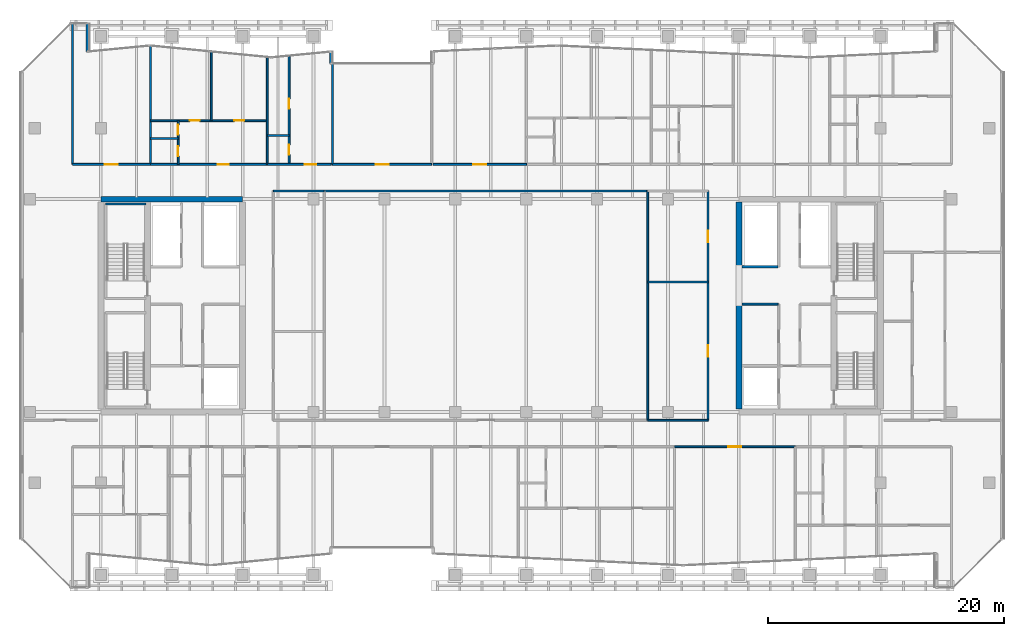
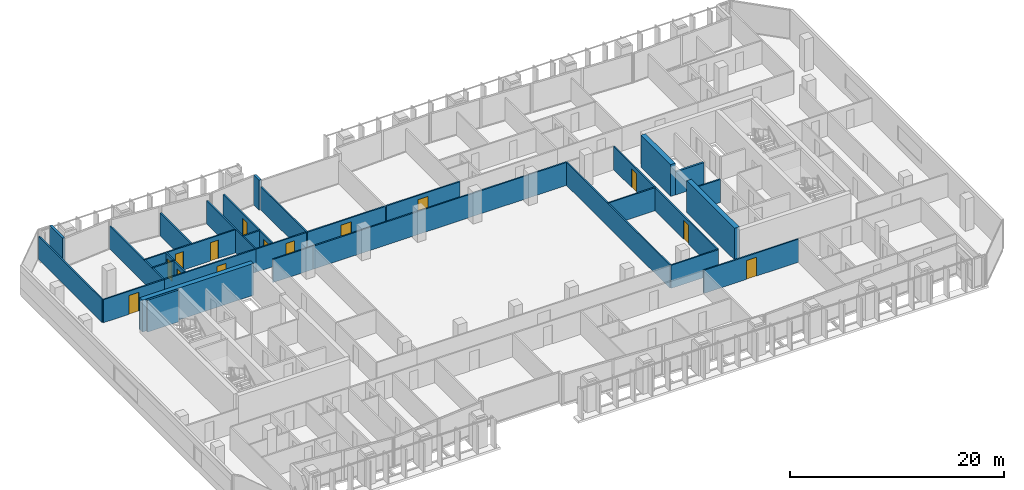
# One storey, part 29 of 39: 31 walls, 14 doors, 14 openings.
"""IFC4 building model written with IfcOpenShell, lengths in metres."""

from ifc_helpers import new_model, si_unit, direction, frame, frame_2d, origin, place, context, subcontext, project, spatial, rectangle, extrude, material, layer, layer_set, type_object, element, fill, save


model = new_model("IFC4")

# Units and contexts
model_context = context("Model", 3, precision=1e-05, world=origin(), true_north=direction((0.0, 1.0)))
body_context = subcontext(model_context, "Body", "Model", "MODEL_VIEW")
ifc_project = project(units=[si_unit("LENGTHUNIT", "METRE"), si_unit("AREAUNIT", "SQUARE_METRE"), si_unit("VOLUMEUNIT", "CUBIC_METRE"), si_unit("PLANEANGLEUNIT", "RADIAN"), si_unit("MASSUNIT", "GRAM", prefix="KILO")], contexts=[model_context])

# Site, building, storey
site_placement = place(None, origin())
site = spatial("IfcSite", under=ifc_project, at=site_placement, CompositionType="ELEMENT")
building_placement = place(site_placement, origin())
building = spatial("IfcBuilding", under=site, at=building_placement, Name="Tanjung Sevakor Pilgrim Tower", CompositionType="ELEMENT")
storey_placement = place(building_placement, frame((0.0, 0.0, 112.199951171875)))
storey = spatial("IfcBuildingStorey", under=building, at=storey_placement, Name="L31", CompositionType="ELEMENT", Elevation=112.199951171875)

# Walls
ifc_material_1 = material(Name="Concrete C60/75", Category="concrete")
ifc_layer_1 = layer(ifc_material_1, 0.5)
ifc_layer_set_1 = layer_set([ifc_layer_1], Name="WALL-CW-500")
wall_type_1 = type_object("IfcWallType", Name="WALL-CW-500", PredefinedType="SHEAR", material=ifc_layer_set_1)
wall_1_placement = place(storey_placement, frame((36.0, 42.60009765625, 0.0), z_axis=(0.0, 0.0, 1.0), x_axis=(-1.0, 0.0, 0.0)))
element("IfcWall", 1, at=wall_1_placement, inside=storey, type_object=wall_type_1, Name="L31 W Core North Shear Wall", PredefinedType="SHEAR", context=body_context, shape_type="SweptSolid", body=[
    extrude(rectangle(XDim=12.0, YDim=0.5, at=frame_2d((6.0, 0.0))), origin(), (0.0, 0.0, 1.0), 3.630126953125),
])
wall_2_placement = place(storey_placement, frame((78.0, 24.85009765625, 0.0), z_axis=(0.0, 0.0, 1.0), x_axis=(0.0, 1.0, 0.0)))
element("IfcWall", 2, at=wall_2_placement, inside=storey, type_object=wall_type_1, Name="L31 E Core Inner Shear Wall South", PredefinedType="SHEAR", context=body_context, shape_type="SweptSolid", body=[
    extrude(rectangle(XDim=8.949951171875, YDim=0.5, at=frame_2d((4.47509765625, 0.0))), origin(), (0.0, 0.0, 1.0), 3.630126953125),
])
wall_3_placement = place(storey_placement, frame((78.0, 36.800048828125, 0.0), z_axis=(0.0, 0.0, 1.0), x_axis=(0.0, 1.0, 0.0)))
element("IfcWall", 3, at=wall_3_placement, inside=storey, type_object=wall_type_1, Name="L31 E Core Inner Shear Wall North", PredefinedType="SHEAR", context=body_context, shape_type="SweptSolid", body=[
    extrude(rectangle(XDim=5.550048828125, YDim=0.5, at=frame_2d((2.77490234375, 0.0))), origin(), (0.0, 0.0, 1.0), 3.630126953125),
])
ifc_material_2 = material(Name="Concrete C40/50", Category="concrete")
ifc_layer_2 = layer(ifc_material_2, 0.14990234375)
ifc_layer_set_2 = layer_set([ifc_layer_2], Name="WT-COMP-150")
wall_type_2 = type_object("IfcWallType", Name="WT-COMP-150", PredefinedType="SOLIDWALL", material=ifc_layer_set_2)
wall_4_placement = place(storey_placement, frame((78.27001953125, 33.719970703125, 0.0), z_axis=(0.0, 0.0, 1.0), x_axis=(1.0, 0.0, 0.0)))
element("IfcWall", 4, at=wall_4_placement, inside=storey, type_object=wall_type_2, Name="L31 Partition IW-L31-015", PredefinedType="SOLIDWALL", context=body_context, shape_type="SweptSolid", body=[
    extrude(rectangle(XDim=3.050048828125, YDim=0.14990234375, at=frame_2d((1.52490234375, 0.0))), origin(), (0.0, 0.0, 1.0), 2.6298828125),
])
wall_5_placement = place(storey_placement, frame((38.60009765625, 43.300048828125, 0.0), z_axis=(0.0, 0.0, 1.0), x_axis=(1.0, 0.0, 0.0)))
element("IfcWall", 5, at=wall_5_placement, inside=storey, type_object=wall_type_2, Name="L31 Partition IW-L31-024", PredefinedType="SOLIDWALL", context=body_context, shape_type="SweptSolid", body=[
    extrude(rectangle(XDim=4.2998046875, YDim=0.14990234375, at=frame_2d((2.14990234375, 0.0))), origin(), (0.0, 0.0, 1.0), 2.6298828125),
])
wall_6_placement = place(storey_placement, frame((42.89990234375, 43.300048828125, 0.0), z_axis=(0.0, 0.0, 1.0), x_axis=(1.0, 0.0, 0.0)))
element("IfcWall", 6, at=wall_6_placement, inside=storey, type_object=wall_type_2, Name="L31 Partition IW-L31-027", PredefinedType="SOLIDWALL", context=body_context, shape_type="SweptSolid", body=[
    extrude(rectangle(XDim=27.400146484375, YDim=0.14990234375, at=frame_2d((13.7001953125, 0.0))), origin(), (0.0, 0.0, 1.0), 2.6298828125),
])
wall_7_placement = place(storey_placement, frame((70.300048828125, 23.89990234375, 0.0), z_axis=(0.0, 0.0, 1.0), x_axis=(0.0, 1.0, 0.0)))
element("IfcWall", 7, at=wall_7_placement, inside=storey, type_object=wall_type_2, Name="L31 Partition IW-L31-029", PredefinedType="SOLIDWALL", context=body_context, shape_type="SweptSolid", body=[
    extrude(rectangle(XDim=19.400146484375, YDim=0.14990234375, at=frame_2d((9.7001953125, 0.0))), origin(), (0.0, 0.0, 1.0), 2.6298828125),
])
for number, where, z_axis, x_axis, name in (
    (8, (70.300048828125, 23.89990234375, 0.0), (0.0, 0.0, 1.0), (1.0, 0.0, 0.0), "L31 Partition IW-L31-030"),
    (9, (70.300048828125, 35.60009765625, 0.0), (0.0, 0.0, 1.0), (1.0, 0.0, 0.0), "L31 Partition IW-L31-031"),
):
    element("IfcWall", number, at=place(storey_placement, frame(where, z_axis=z_axis, x_axis=x_axis)), inside=storey, type_object=wall_type_2, Name=name, PredefinedType="SOLIDWALL", context=body_context, shape_type="SweptSolid", body=[
        extrude(rectangle(XDim=5.099853515625, YDim=0.14990234375, at=frame_2d((2.5498046875, 0.0))), origin(), (0.0, 0.0, 1.0), 2.6298828125),
    ])

# Wall, opening, door
wall_8_placement = place(storey_placement, frame((75.39990234375, 23.89990234375, 0.0), z_axis=(0.0, 0.0, 1.0), x_axis=(0.0, 1.0, 0.0)))
wall_8 = element("IfcWall", 10, at=wall_8_placement, inside=storey, type_object=wall_type_2, Name="L31 Partition IW-L31-032", PredefinedType="SOLIDWALL", context=body_context, shape_type="SweptSolid", body=[
    extrude(rectangle(XDim=11.7001953125, YDim=0.14990234375, at=frame_2d((5.85009765625, 0.0))), origin(), (0.0, 0.0, 1.0), 2.6298828125),
])
opening_1_placement = place(wall_8_placement, frame((5.375, 0.0, 0.0)))
opening_1 = element("IfcOpeningElement", 11, at=opening_1_placement, cuts=wall_8, Name="Opening ID-RM1", PredefinedType="OPENING", context=body_context, shape_type="SweptSolid", body=[
    extrude(rectangle(XDim=0.949951171875, YDim=2.14990234375, at=frame_2d((0.47509765625, 1.074951171875))), frame((0.0, 0.0849609375, 0.0), z_axis=(0.0, -1.0, 0.0), x_axis=(1.0, 0.0, 0.0)), (0.0, 0.0, 1.0), 0.169921875),
])
ifc_material_3 = material(Name="Hardwood Timber", Category="wood")
door_type_1 = type_object("IfcDoorType", Name="DT-INT-950", OperationType="NOTDEFINED", PredefinedType="DOOR", material=ifc_material_3)
door_1_placement = place(opening_1_placement, origin())
door_1 = element("IfcDoor", 12, at=door_1_placement, inside=storey, type_object=door_type_1, Name="L31 Female Ablution Door", OperationType="SINGLE_SWING_LEFT", OverallHeight=2.14990234375, OverallWidth=0.949951171875, PredefinedType="DOOR", context=body_context, shape_type="SweptSolid", body=[
    extrude(rectangle(XDim=0.949951171875, YDim=2.14990234375, at=frame_2d((0.47509765625, 1.074951171875))), frame((0.0, 0.02490234375, 0.0), z_axis=(0.0, -1.0, 0.0), x_axis=(1.0, 0.0, 0.0)), (0.0, 0.0, 1.0), 0.050048828125),
])
fill(opening_1, door_1)

wall_9_placement = place(storey_placement, frame((75.39990234375, 35.60009765625, 0.0), z_axis=(0.0, 0.0, 1.0), x_axis=(0.0, 1.0, 0.0)))
wall_9 = element("IfcWall", 13, at=wall_9_placement, inside=storey, type_object=wall_type_2, Name="L31 Partition IW-L31-034", PredefinedType="SOLIDWALL", context=body_context, shape_type="SweptSolid", body=[
    extrude(rectangle(XDim=7.699951171875, YDim=0.14990234375, at=frame_2d((3.85009765625, 0.0))), origin(), (0.0, 0.0, 1.0), 2.6298828125),
])
opening_2_placement = place(wall_9_placement, frame((3.375, 0.0, 0.0)))
opening_2 = element("IfcOpeningElement", 14, at=opening_2_placement, cuts=wall_9, Name="Opening ID-RM1", PredefinedType="OPENING", context=body_context, shape_type="SweptSolid", body=[
    extrude(rectangle(XDim=0.949951171875, YDim=2.14990234375, at=frame_2d((0.47509765625, 1.074951171875))), frame((0.0, 0.0849609375, 0.0), z_axis=(0.0, -1.0, 0.0), x_axis=(1.0, 0.0, 0.0)), (0.0, 0.0, 1.0), 0.169921875),
])
door_2_placement = place(opening_2_placement, origin())
door_2 = element("IfcDoor", 15, at=door_2_placement, inside=storey, type_object=door_type_1, Name="L31 Female Washroom Door", OperationType="SINGLE_SWING_RIGHT", OverallHeight=2.14990234375, OverallWidth=0.949951171875, PredefinedType="DOOR", context=body_context, shape_type="SweptSolid", body=[
    extrude(rectangle(XDim=0.949951171875, YDim=2.14990234375, at=frame_2d((0.47509765625, 1.074951171875))), frame((0.0, 0.02490234375, 0.0), z_axis=(0.0, -1.0, 0.0), x_axis=(1.0, 0.0, 0.0)), (0.0, 0.0, 1.0), 0.050048828125),
])
fill(opening_2, door_2)

wall_10_placement = place(storey_placement, frame((43.60009765625, 45.550048828125, 0.0), z_axis=(0.0, 0.0, 1.0), x_axis=(1.0, 0.0, 0.0)))
wall_10 = element("IfcWall", 16, at=wall_10_placement, inside=storey, type_object=wall_type_2, Name="L31 Partition IW-L31-045", PredefinedType="SOLIDWALL", context=body_context, shape_type="SweptSolid", body=[
    extrude(rectangle(XDim=8.39990234375, YDim=0.14990234375, at=frame_2d((4.199951171875, 0.0))), origin(), (0.0, 0.0, 1.0), 2.6298828125),
])
opening_3_placement = place(wall_10_placement, frame((3.64990234375, 0.0, 0.0)))
opening_3 = element("IfcOpeningElement", 17, at=opening_3_placement, cuts=wall_10, Name="Opening ID-RM2", PredefinedType="OPENING", context=body_context, shape_type="SweptSolid", body=[
    extrude(rectangle(XDim=1.10009765625, YDim=2.14990234375, at=frame_2d((0.550048828125, 1.074951171875))), frame((0.0, 0.0849609375, 0.0), z_axis=(0.0, -1.0, 0.0), x_axis=(1.0, 0.0, 0.0)), (0.0, 0.0, 1.0), 0.169921875),
])
ifc_material_4 = material(Name="Hardwood Timber", Category="wood")
door_type_2 = type_object("IfcDoorType", Name="DT-INT-1100", OperationType="NOTDEFINED", PredefinedType="DOOR", material=ifc_material_4)
door_3_placement = place(opening_3_placement, origin())
door_3 = element("IfcDoor", 18, at=door_3_placement, inside=storey, type_object=door_type_2, Name="L31 North Cleft Reading Room Door", OperationType="SINGLE_SWING_LEFT", OverallHeight=2.14990234375, OverallWidth=1.10009765625, PredefinedType="DOOR", context=body_context, shape_type="SweptSolid", body=[
    extrude(rectangle(XDim=1.10009765625, YDim=2.14990234375, at=frame_2d((0.550048828125, 1.074951171875))), frame((0.0, 0.02490234375, 0.0), z_axis=(0.0, -1.0, 0.0), x_axis=(1.0, 0.0, 0.0)), (0.0, 0.0, 1.0), 0.050048828125),
])
fill(opening_3, door_3)

# Wall
wall_11_placement = place(storey_placement, frame((43.60009765625, 45.550048828125, 0.0), z_axis=(0.0, 0.0, 1.0), x_axis=(0.0, 1.0, 0.0)))
element("IfcWall", 19, at=wall_11_placement, inside=storey, type_object=wall_type_2, Name="L31 Partition IW-L31-046", PredefinedType="SOLIDWALL", context=body_context, shape_type="SweptSolid", body=[
    extrude(rectangle(XDim=8.52490234375, YDim=0.14990234375, at=frame_2d((4.262451171875, 0.0))), origin(), (0.0, 0.0, 1.0), 2.6298828125),
])

# Wall, opening, door
wall_12_placement = place(storey_placement, frame((72.557373046875, 21.64990234375, 0.0), z_axis=(0.0, 0.0, 1.0), x_axis=(1.0, 0.0, 0.0)))
wall_12 = element("IfcWall", 20, at=wall_12_placement, inside=storey, type_object=wall_type_2, Name="L31 Partition IW-L31-074", PredefinedType="SOLIDWALL", context=body_context, shape_type="SweptSolid", body=[
    extrude(rectangle(XDim=10.218505859375, YDim=0.14990234375, at=frame_2d((5.109375, 0.0))), origin(), (0.0, 0.0, 1.0), 2.6298828125),
])
opening_4_placement = place(wall_12_placement, frame((4.559326171875, 0.0, 0.0)))
opening_4 = element("IfcOpeningElement", 21, at=opening_4_placement, cuts=wall_12, Name="Opening ID-FD0", PredefinedType="OPENING", context=body_context, shape_type="SweptSolid", body=[
    extrude(rectangle(XDim=1.10009765625, YDim=2.14990234375, at=frame_2d((0.550048828125, 1.074951171875))), frame((0.0, 0.0849609375, 0.0), z_axis=(0.0, -1.0, 0.0), x_axis=(1.0, 0.0, 0.0)), (0.0, 0.0, 1.0), 0.169921875),
])
ifc_material_5 = material(Name="Fire-Rated Steel S355J2", Category="steel")
door_type_3 = type_object("IfcDoorType", Name="DT-FIRE-1100", OperationType="NOTDEFINED", PredefinedType="DOOR", material=ifc_material_5)
door_4_placement = place(opening_4_placement, origin())
door_4 = element("IfcDoor", 22, at=door_4_placement, inside=storey, type_object=door_type_3, Name="Communal Lounge Door", OperationType="SINGLE_SWING_RIGHT", OverallHeight=2.14990234375, OverallWidth=1.10009765625, PredefinedType="DOOR", context=body_context, shape_type="SweptSolid", body=[
    extrude(rectangle(XDim=1.10009765625, YDim=2.14990234375, at=frame_2d((0.550048828125, 1.074951171875))), frame((0.0, 0.02490234375, 0.0), z_axis=(0.0, -1.0, 0.0), x_axis=(1.0, 0.0, 0.0)), (0.0, 0.0, 1.0), 0.050048828125),
])
fill(opening_4, door_4)

# Walls
wall_13_placement = place(storey_placement, frame((21.60009765625, 45.550048828125, 0.0), z_axis=(0.0, 0.0, 1.0), x_axis=(0.0, 1.0, 0.0)))
element("IfcWall", 23, at=wall_13_placement, inside=storey, type_object=wall_type_2, Name="L31 Partition IW-L31-081", PredefinedType="SOLIDWALL", context=body_context, shape_type="SweptSolid", body=[
    extrude(rectangle(XDim=11.925048828125, YDim=0.14990234375, at=frame_2d((5.96240234375, 0.0))), origin(), (0.0, 0.0, 1.0), 2.6298828125),
])
wall_14_placement = place(storey_placement, frame((28.194091796875, 45.550048828125, 0.0), z_axis=(0.0, 0.0, 1.0), x_axis=(0.0, 1.0, 0.0)))
element("IfcWall", 24, at=wall_14_placement, inside=storey, type_object=wall_type_2, Name="L31 Partition IW-L31-082", PredefinedType="SOLIDWALL", context=body_context, shape_type="SweptSolid", body=[
    extrude(rectangle(XDim=10.0400390625, YDim=0.14990234375, at=frame_2d((5.02001953125, 0.0))), origin(), (0.0, 0.0, 1.0), 2.6298828125),
])

# Wall, opening, door
wall_15_placement = place(storey_placement, frame((21.60009765625, 45.550048828125, 0.0), z_axis=(0.0, 0.0, 1.0), x_axis=(1.0, 0.0, 0.0)))
wall_15 = element("IfcWall", 25, at=wall_15_placement, inside=storey, type_object=wall_type_2, Name="L31 Partition IW-L31-083", PredefinedType="SOLIDWALL", context=body_context, shape_type="SweptSolid", body=[
    extrude(rectangle(XDim=6.593994140625, YDim=0.14990234375, at=frame_2d((3.296875, 0.0))), origin(), (0.0, 0.0, 1.0), 2.6298828125),
])
opening_5_placement = place(wall_15_placement, frame((2.7470703125, 0.0, 0.0)))
opening_5 = element("IfcOpeningElement", 26, at=opening_5_placement, cuts=wall_15, Name="Opening ID-FD0", PredefinedType="OPENING", context=body_context, shape_type="SweptSolid", body=[
    extrude(rectangle(XDim=1.10009765625, YDim=2.14990234375, at=frame_2d((0.550048828125, 1.074951171875))), frame((0.0, 0.0849609375, 0.0), z_axis=(0.0, -1.0, 0.0), x_axis=(1.0, 0.0, 0.0)), (0.0, 0.0, 1.0), 0.169921875),
])
door_5_placement = place(opening_5_placement, origin())
door_5 = element("IfcDoor", 27, at=door_5_placement, inside=storey, type_object=door_type_3, Name="Seminar Room Door", OperationType="SINGLE_SWING_LEFT", OverallHeight=2.14990234375, OverallWidth=1.10009765625, PredefinedType="DOOR", context=body_context, shape_type="SweptSolid", body=[
    extrude(rectangle(XDim=1.10009765625, YDim=2.14990234375, at=frame_2d((0.550048828125, 1.074951171875))), frame((0.0, 0.02490234375, 0.0), z_axis=(0.0, -1.0, 0.0), x_axis=(1.0, 0.0, 0.0)), (0.0, 0.0, 1.0), 0.050048828125),
])
fill(opening_5, door_5)

# Wall
wall_16_placement = place(storey_placement, frame((38.0849609375, 45.550048828125, 0.0), z_axis=(0.0, 0.0, 1.0), x_axis=(0.0, 1.0, 0.0)))
element("IfcWall", 28, at=wall_16_placement, inside=storey, type_object=wall_type_2, Name="L31 Partition IW-L31-084", PredefinedType="SOLIDWALL", context=body_context, shape_type="SweptSolid", body=[
    extrude(rectangle(XDim=9.079833984375, YDim=0.14990234375, at=frame_2d((4.5400390625, 0.0))), origin(), (0.0, 0.0, 1.0), 2.6298828125),
])

# Wall, opening, door
wall_17_placement = place(storey_placement, frame((28.194091796875, 45.550048828125, 0.0), z_axis=(0.0, 0.0, 1.0), x_axis=(1.0, 0.0, 0.0)))
wall_17 = element("IfcWall", 29, at=wall_17_placement, inside=storey, type_object=wall_type_2, Name="L31 Partition IW-L31-089", PredefinedType="SOLIDWALL", context=body_context, shape_type="SweptSolid", body=[
    extrude(rectangle(XDim=9.890869140625, YDim=0.14990234375, at=frame_2d((4.9453125, 0.0))), origin(), (0.0, 0.0, 1.0), 2.6298828125),
])
opening_6_placement = place(wall_17_placement, frame((5.685546875, 0.0, 0.0)))
opening_6 = element("IfcOpeningElement", 30, at=opening_6_placement, cuts=wall_17, Name="Opening ID-FD2", PredefinedType="OPENING", context=body_context, shape_type="SweptSolid", body=[
    extrude(rectangle(XDim=0.949951171875, YDim=2.14990234375, at=frame_2d((0.47509765625, 1.074951171875))), frame((0.0, 0.0849609375, 0.0), z_axis=(0.0, -1.0, 0.0), x_axis=(1.0, 0.0, 0.0)), (0.0, 0.0, 1.0), 0.169921875),
])
ifc_material_6 = material(Name="Fire-Rated Timber", Category="wood")
door_type_4 = type_object("IfcDoorType", Name="DT-FIRE-950", OperationType="NOTDEFINED", PredefinedType="DOOR", material=ifc_material_6)
door_6_placement = place(opening_6_placement, origin())
door_6 = element("IfcDoor", 31, at=door_6_placement, inside=storey, type_object=door_type_4, Name="Suite Entrance", OperationType="SINGLE_SWING_RIGHT", OverallHeight=2.14990234375, OverallWidth=0.949951171875, PredefinedType="DOOR", context=body_context, shape_type="SweptSolid", body=[
    extrude(rectangle(XDim=0.949951171875, YDim=2.14990234375, at=frame_2d((0.47509765625, 1.074951171875))), frame((0.0, 0.02490234375, 0.0), z_axis=(0.0, -1.0, 0.0), x_axis=(1.0, 0.0, 0.0)), (0.0, 0.0, 1.0), 0.050048828125),
])
fill(opening_6, door_6)

wall_18_placement = place(storey_placement, frame((38.0849609375, 45.550048828125, 0.0), z_axis=(0.0, 0.0, 1.0), x_axis=(1.0, 0.0, 0.0)))
wall_18 = element("IfcWall", 32, at=wall_18_placement, inside=storey, type_object=wall_type_2, Name="L31 Partition IW-L31-092", PredefinedType="SOLIDWALL", context=body_context, shape_type="SweptSolid", body=[
    extrude(rectangle(XDim=5.39501953125, YDim=0.14990234375, at=frame_2d((2.697509765625, 0.0))), origin(), (0.0, 0.0, 1.0), 2.6298828125),
])
opening_7_placement = place(wall_18_placement, frame((3.1875, 0.0, 0.0)))
opening_7 = element("IfcOpeningElement", 33, at=opening_7_placement, cuts=wall_18, Name="Opening ID-FD2", PredefinedType="OPENING", context=body_context, shape_type="SweptSolid", body=[
    extrude(rectangle(XDim=0.949951171875, YDim=2.14990234375, at=frame_2d((0.47509765625, 1.074951171875))), frame((0.0, 0.0849609375, 0.0), z_axis=(0.0, -1.0, 0.0), x_axis=(1.0, 0.0, 0.0)), (0.0, 0.0, 1.0), 0.169921875),
])
door_7_placement = place(opening_7_placement, origin())
door_7 = element("IfcDoor", 34, at=door_7_placement, inside=storey, type_object=door_type_4, Name="Hotel Guestroom Entrance", OperationType="SINGLE_SWING_LEFT", OverallHeight=2.14990234375, OverallWidth=0.949951171875, PredefinedType="DOOR", context=body_context, shape_type="SweptSolid", body=[
    extrude(rectangle(XDim=0.949951171875, YDim=2.14990234375, at=frame_2d((0.47509765625, 1.074951171875))), frame((0.0, 0.02490234375, 0.0), z_axis=(0.0, -1.0, 0.0), x_axis=(1.0, 0.0, 0.0)), (0.0, 0.0, 1.0), 0.050048828125),
])
fill(opening_7, door_7)

wall_19_placement = place(storey_placement, frame((52.1201171875, 45.550048828125, 0.0), z_axis=(0.0, 0.0, 1.0), x_axis=(1.0, 0.0, 0.0)))
wall_19 = element("IfcWall", 35, at=wall_19_placement, inside=storey, type_object=wall_type_2, Name="L31 Partition IW-L31-095", PredefinedType="SOLIDWALL", context=body_context, shape_type="SweptSolid", body=[
    extrude(rectangle(XDim=7.91259765625, YDim=0.14990234375, at=frame_2d((3.956298828125, 0.0))), origin(), (0.0, 0.0, 1.0), 2.6298828125),
])
opening_8_placement = place(wall_19_placement, frame((3.406494140625, 0.0, 0.0)))
opening_8 = element("IfcOpeningElement", 36, at=opening_8_placement, cuts=wall_19, Name="Opening ID-FD0", PredefinedType="OPENING", context=body_context, shape_type="SweptSolid", body=[
    extrude(rectangle(XDim=1.10009765625, YDim=2.14990234375, at=frame_2d((0.550048828125, 1.074951171875))), frame((0.0, 0.0849609375, 0.0), z_axis=(0.0, -1.0, 0.0), x_axis=(1.0, 0.0, 0.0)), (0.0, 0.0, 1.0), 0.169921875),
])
door_8_placement = place(opening_8_placement, origin())
door_8 = element("IfcDoor", 37, at=door_8_placement, inside=storey, type_object=door_type_3, Name="Council Room Door", OperationType="SINGLE_SWING_RIGHT", OverallHeight=2.14990234375, OverallWidth=1.10009765625, PredefinedType="DOOR", context=body_context, shape_type="SweptSolid", body=[
    extrude(rectangle(XDim=1.10009765625, YDim=2.14990234375, at=frame_2d((0.550048828125, 1.074951171875))), frame((0.0, 0.02490234375, 0.0), z_axis=(0.0, -1.0, 0.0), x_axis=(1.0, 0.0, 0.0)), (0.0, 0.0, 1.0), 0.050048828125),
])
fill(opening_8, door_8)

# Walls
ifc_material_7 = material(Name="Precast concrete C45/55", Category="concrete")
ifc_layer_3 = layer(ifc_material_7, 0.25)
ifc_layer_set_3 = layer_set([ifc_layer_3], Name="WT-EW-STN3")
wall_type_3 = type_object("IfcWallType", Name="WT-EW-STN3", PredefinedType="SOLIDWALL", material=ifc_layer_set_3)
wall_20_placement = place(storey_placement, frame((43.47509765625, 54.074951171875, 0.0), z_axis=(0.0, 0.0, 1.0), x_axis=(0.0, 1.0, 0.0)))
element("IfcWall", 38, at=wall_20_placement, inside=storey, type_object=wall_type_3, Name="L31 MAIN Exterior Wall 27", PredefinedType="SOLIDWALL", context=body_context, shape_type="SweptSolid", body=[
    extrude(rectangle(XDim=1.00732421875, YDim=0.25, at=frame_2d((0.503662109375, 0.0))), origin(), (0.0, 0.0, 1.0), 3.409912109375),
])
wall_21_placement = place(storey_placement, frame((22.875, 55.082275390625, 0.0), z_axis=(0.0, 0.0, 1.0), x_axis=(0.0, 1.0, 0.0)))
element("IfcWall", 39, at=wall_21_placement, inside=storey, type_object=wall_type_3, Name="L31 MAIN Exterior Wall 32", PredefinedType="SOLIDWALL", context=body_context, shape_type="SweptSolid", body=[
    extrude(rectangle(XDim=2.392822265625, YDim=0.25, at=frame_2d((1.1962890625, 0.0))), origin(), (0.0, 0.0, 1.0), 3.409912109375),
])
ifc_material_8 = material(Name="Concrete C40/50", Category="concrete")
ifc_layer_4 = layer(ifc_material_8, 0.199951171875)
ifc_layer_set_4 = layer_set([ifc_layer_4], Name="WT-FIRE-200")
wall_type_4 = type_object("IfcWallType", Name="WT-FIRE-200", PredefinedType="SOLIDWALL", material=ifc_layer_set_4)
wall_22_placement = place(storey_placement, frame((27.800048828125, 42.199951171875, 0.0), z_axis=(0.0, 0.0, 1.0), x_axis=(-1.0, 0.0, 0.0)))
element("IfcWall", 40, at=wall_22_placement, inside=storey, type_object=wall_type_4, Name="L31 TS-W2 Shaft Wall 2", PredefinedType="SOLIDWALL", context=body_context, shape_type="SweptSolid", body=[
    extrude(rectangle(XDim=3.400146484375, YDim=0.199951171875, at=frame_2d((1.7001953125, 0.0))), origin(), (0.0, 0.0, 1.0), 3.630126953125),
])
ifc_material_9 = material(Name="Concrete C40/50", Category="concrete")
ifc_layer_5 = layer(ifc_material_9, 0.199951171875)
ifc_layer_set_5 = layer_set([ifc_layer_5], Name="WT-FPRT-200")
wall_type_5 = type_object("IfcWallType", Name="WT-FPRT-200", PredefinedType="SOLIDWALL", material=ifc_layer_set_5)
wall_23_placement = place(storey_placement, frame((78.27001953125, 36.8798828125, 0.0), z_axis=(0.0, 0.0, 1.0), x_axis=(1.0, 0.0, 0.0)))
element("IfcWall", 41, at=wall_23_placement, inside=storey, type_object=wall_type_5, Name="L31 Partition IW-L31-019", PredefinedType="SOLIDWALL", context=body_context, shape_type="SweptSolid", body=[
    extrude(rectangle(XDim=3.050048828125, YDim=0.199951171875, at=frame_2d((1.52490234375, 0.0))), origin(), (0.0, 0.0, 1.0), 2.6298828125),
])
ifc_material_10 = material(Name="Gypsum Board Partition", Category="gypsum board")
ifc_layer_6 = layer(ifc_material_10, 0.14990234375)
ifc_layer_set_6 = layer_set([ifc_layer_6], Name="WT-PART-150")
wall_type_6 = type_object("IfcWallType", Name="WT-PART-150", PredefinedType="PARTITIONING", material=ifc_layer_set_6)
wall_24_placement = place(storey_placement, frame((28.194091796875, 47.73291015625, 0.0), z_axis=(0.0, 0.0, 1.0), x_axis=(1.0, 0.0, 0.0)))
element("IfcWall", 42, at=wall_24_placement, inside=storey, type_object=wall_type_6, Name="L31 Partition IW-L31-085", PredefinedType="PARTITIONING", context=body_context, shape_type="SweptSolid", body=[
    extrude(rectangle(XDim=2.349853515625, YDim=0.14990234375, at=frame_2d((1.1748046875, 0.0))), origin(), (0.0, 0.0, 1.0), 2.6298828125),
])

# Wall, openings, doors
wall_25_placement = place(storey_placement, frame((30.5439453125, 45.550048828125, 0.0), z_axis=(0.0, 0.0, 1.0), x_axis=(0.0, 1.0, 0.0)))
wall_25 = element("IfcWall", 43, at=wall_25_placement, inside=storey, type_object=wall_type_6, Name="L31 Partition IW-L31-086", PredefinedType="PARTITIONING", context=body_context, shape_type="SweptSolid", body=[
    extrude(rectangle(XDim=3.699951171875, YDim=0.14990234375, at=frame_2d((1.85009765625, 0.0))), origin(), (0.0, 0.0, 1.0), 2.6298828125),
])
opening_9_placement = place(wall_25_placement, frame((0.66650390625, 0.0, 0.0)))
opening_9 = element("IfcOpeningElement", 44, at=opening_9_placement, cuts=wall_25, Name="Opening ID-WC1", PredefinedType="OPENING", context=body_context, shape_type="SweptSolid", body=[
    extrude(rectangle(XDim=0.85009765625, YDim=2.10009765625, at=frame_2d((0.425048828125, 1.050048828125))), frame((0.0, 0.0849609375, 0.0), z_axis=(0.0, -1.0, 0.0), x_axis=(1.0, 0.0, 0.0)), (0.0, 0.0, 1.0), 0.169921875),
])
opening_10_placement = place(wall_25_placement, frame((2.5166015625, 0.0, 0.0)))
opening_10 = element("IfcOpeningElement", 45, at=opening_10_placement, cuts=wall_25, Name="Opening ID-WC1", PredefinedType="OPENING", context=body_context, shape_type="SweptSolid", body=[
    extrude(rectangle(XDim=0.85009765625, YDim=2.10009765625, at=frame_2d((0.425048828125, 1.050048828125))), frame((0.0, 0.0849609375, 0.0), z_axis=(0.0, -1.0, 0.0), x_axis=(1.0, 0.0, 0.0)), (0.0, 0.0, 1.0), 0.169921875),
])
ifc_material_11 = material(Name="Moisture-Resistant Timber", Category="wood")
door_type_5 = type_object("IfcDoorType", Name="DT-INT-850", OperationType="NOTDEFINED", PredefinedType="DOOR", material=ifc_material_11)
door_9_placement = place(opening_9_placement, origin())
door_9 = element("IfcDoor", 46, at=door_9_placement, inside=storey, type_object=door_type_5, Name="Suite Kitchenette Door", OperationType="SINGLE_SWING_RIGHT", OverallHeight=2.10009765625, OverallWidth=0.85009765625, PredefinedType="DOOR", context=body_context, shape_type="SweptSolid", body=[
    extrude(rectangle(XDim=0.85009765625, YDim=2.10009765625, at=frame_2d((0.425048828125, 1.050048828125))), frame((0.0, 0.02490234375, 0.0), z_axis=(0.0, -1.0, 0.0), x_axis=(1.0, 0.0, 0.0)), (0.0, 0.0, 1.0), 0.050048828125),
])
fill(opening_9, door_9)
door_10_placement = place(opening_10_placement, origin())
door_10 = element("IfcDoor", 47, at=door_10_placement, inside=storey, type_object=door_type_5, Name="Suite Bathroom Door", OperationType="SINGLE_SWING_LEFT", OverallHeight=2.10009765625, OverallWidth=0.85009765625, PredefinedType="DOOR", context=body_context, shape_type="SweptSolid", body=[
    extrude(rectangle(XDim=0.85009765625, YDim=2.10009765625, at=frame_2d((0.425048828125, 1.050048828125))), frame((0.0, 0.02490234375, 0.0), z_axis=(0.0, -1.0, 0.0), x_axis=(1.0, 0.0, 0.0)), (0.0, 0.0, 1.0), 0.050048828125),
])
fill(opening_10, door_10)

# Wall
wall_26_placement = place(storey_placement, frame((33.33740234375, 49.25, 0.0), z_axis=(0.0, 0.0, 1.0), x_axis=(0.0, 1.0, 0.0)))
element("IfcWall", 48, at=wall_26_placement, inside=storey, type_object=wall_type_6, Name="L31 Partition IW-L31-087", PredefinedType="PARTITIONING", context=body_context, shape_type="SweptSolid", body=[
    extrude(rectangle(XDim=5.8408203125, YDim=0.14990234375, at=frame_2d((2.92041015625, 0.0))), origin(), (0.0, 0.0, 1.0), 2.6298828125),
])

# Wall, openings, doors
wall_27_placement = place(storey_placement, frame((28.194091796875, 49.25, 0.0), z_axis=(0.0, 0.0, 1.0), x_axis=(1.0, 0.0, 0.0)))
wall_27 = element("IfcWall", 49, at=wall_27_placement, inside=storey, type_object=wall_type_6, Name="L31 Partition IW-L31-088", PredefinedType="PARTITIONING", context=body_context, shape_type="SweptSolid", body=[
    extrude(rectangle(XDim=9.890869140625, YDim=0.14990234375, at=frame_2d((4.9453125, 0.0))), origin(), (0.0, 0.0, 1.0), 2.6298828125),
])
opening_11_placement = place(wall_27_placement, frame((3.321533203125, 0.0, 0.0)))
opening_11 = element("IfcOpeningElement", 50, at=opening_11_placement, cuts=wall_27, Name="Opening ID-WC1", PredefinedType="OPENING", context=body_context, shape_type="SweptSolid", body=[
    extrude(rectangle(XDim=0.85009765625, YDim=2.10009765625, at=frame_2d((0.425048828125, 1.050048828125))), frame((0.0, 0.0849609375, 0.0), z_axis=(0.0, -1.0, 0.0), x_axis=(1.0, 0.0, 0.0)), (0.0, 0.0, 1.0), 0.169921875),
])
opening_12_placement = place(wall_27_placement, frame((7.09228515625, 0.0, 0.0)))
opening_12 = element("IfcOpeningElement", 51, at=opening_12_placement, cuts=wall_27, Name="Opening ID-WC1", PredefinedType="OPENING", context=body_context, shape_type="SweptSolid", body=[
    extrude(rectangle(XDim=0.85009765625, YDim=2.10009765625, at=frame_2d((0.425048828125, 1.050048828125))), frame((0.0, 0.0849609375, 0.0), z_axis=(0.0, -1.0, 0.0), x_axis=(1.0, 0.0, 0.0)), (0.0, 0.0, 1.0), 0.169921875),
])
door_11_placement = place(opening_11_placement, origin())
door_11 = element("IfcDoor", 52, at=door_11_placement, inside=storey, type_object=door_type_5, Name="Suite Bedroom 1 Door", OperationType="SINGLE_SWING_RIGHT", OverallHeight=2.10009765625, OverallWidth=0.85009765625, PredefinedType="DOOR", context=body_context, shape_type="SweptSolid", body=[
    extrude(rectangle(XDim=0.85009765625, YDim=2.10009765625, at=frame_2d((0.425048828125, 1.050048828125))), frame((0.0, 0.02490234375, 0.0), z_axis=(0.0, -1.0, 0.0), x_axis=(1.0, 0.0, 0.0)), (0.0, 0.0, 1.0), 0.050048828125),
])
fill(opening_11, door_11)
door_12_placement = place(opening_12_placement, origin())
door_12 = element("IfcDoor", 53, at=door_12_placement, inside=storey, type_object=door_type_5, Name="Suite Bedroom 2 Door", OperationType="SINGLE_SWING_LEFT", OverallHeight=2.10009765625, OverallWidth=0.85009765625, PredefinedType="DOOR", context=body_context, shape_type="SweptSolid", body=[
    extrude(rectangle(XDim=0.85009765625, YDim=2.10009765625, at=frame_2d((0.425048828125, 1.050048828125))), frame((0.0, 0.02490234375, 0.0), z_axis=(0.0, -1.0, 0.0), x_axis=(1.0, 0.0, 0.0)), (0.0, 0.0, 1.0), 0.050048828125),
])
fill(opening_12, door_12)

# Wall
wall_28_placement = place(storey_placement, frame((38.0849609375, 48.0, 0.0), z_axis=(0.0, 0.0, 1.0), x_axis=(1.0, 0.0, 0.0)))
element("IfcWall", 54, at=wall_28_placement, inside=storey, type_object=wall_type_6, Name="L31 Partition IW-L31-090", PredefinedType="PARTITIONING", context=body_context, shape_type="SweptSolid", body=[
    extrude(rectangle(XDim=1.85009765625, YDim=0.14990234375, at=frame_2d((0.925048828125, 0.0))), origin(), (0.0, 0.0, 1.0), 2.6298828125),
])

# Wall, openings, doors
wall_29_placement = place(storey_placement, frame((39.93505859375, 45.550048828125, 0.0), z_axis=(0.0, 0.0, 1.0), x_axis=(0.0, 1.0, 0.0)))
wall_29 = element("IfcWall", 55, at=wall_29_placement, inside=storey, type_object=wall_type_6, Name="L31 Partition IW-L31-091", PredefinedType="PARTITIONING", context=body_context, shape_type="SweptSolid", body=[
    extrude(rectangle(XDim=9.1884765625, YDim=0.14990234375, at=frame_2d((4.59423828125, 0.0))), origin(), (0.0, 0.0, 1.0), 2.6298828125),
])
opening_13_placement = place(wall_29_placement, frame((0.800048828125, 0.0, 0.0)))
opening_13 = element("IfcOpeningElement", 56, at=opening_13_placement, cuts=wall_29, Name="Opening ID-WC1", PredefinedType="OPENING", context=body_context, shape_type="SweptSolid", body=[
    extrude(rectangle(XDim=0.85009765625, YDim=2.10009765625, at=frame_2d((0.425048828125, 1.050048828125))), frame((0.0, 0.0849609375, 0.0), z_axis=(0.0, -1.0, 0.0), x_axis=(1.0, 0.0, 0.0)), (0.0, 0.0, 1.0), 0.169921875),
])
opening_14_placement = place(wall_29_placement, frame((4.68994140625, 0.0, 0.0)))
opening_14 = element("IfcOpeningElement", 57, at=opening_14_placement, cuts=wall_29, Name="Opening ID-WC1", PredefinedType="OPENING", context=body_context, shape_type="SweptSolid", body=[
    extrude(rectangle(XDim=0.85009765625, YDim=2.10009765625, at=frame_2d((0.425048828125, 1.050048828125))), frame((0.0, 0.0849609375, 0.0), z_axis=(0.0, -1.0, 0.0), x_axis=(1.0, 0.0, 0.0)), (0.0, 0.0, 1.0), 0.169921875),
])
door_13_placement = place(opening_13_placement, origin())
door_13 = element("IfcDoor", 58, at=door_13_placement, inside=storey, type_object=door_type_5, Name="Bathroom Door", OperationType="SINGLE_SWING_LEFT", OverallHeight=2.10009765625, OverallWidth=0.85009765625, PredefinedType="DOOR", context=body_context, shape_type="SweptSolid", body=[
    extrude(rectangle(XDim=0.85009765625, YDim=2.10009765625, at=frame_2d((0.425048828125, 1.050048828125))), frame((0.0, 0.02490234375, 0.0), z_axis=(0.0, -1.0, 0.0), x_axis=(1.0, 0.0, 0.0)), (0.0, 0.0, 1.0), 0.050048828125),
])
fill(opening_13, door_13)
door_14_placement = place(opening_14_placement, origin())
door_14 = element("IfcDoor", 59, at=door_14_placement, inside=storey, type_object=door_type_5, Name="Study Nook Door", OperationType="SINGLE_SWING_RIGHT", OverallHeight=2.10009765625, OverallWidth=0.85009765625, PredefinedType="DOOR", context=body_context, shape_type="SweptSolid", body=[
    extrude(rectangle(XDim=0.85009765625, YDim=2.10009765625, at=frame_2d((0.425048828125, 1.050048828125))), frame((0.0, 0.02490234375, 0.0), z_axis=(0.0, -1.0, 0.0), x_axis=(1.0, 0.0, 0.0)), (0.0, 0.0, 1.0), 0.050048828125),
])
fill(opening_14, door_14)

save(model, "model.ifc")
